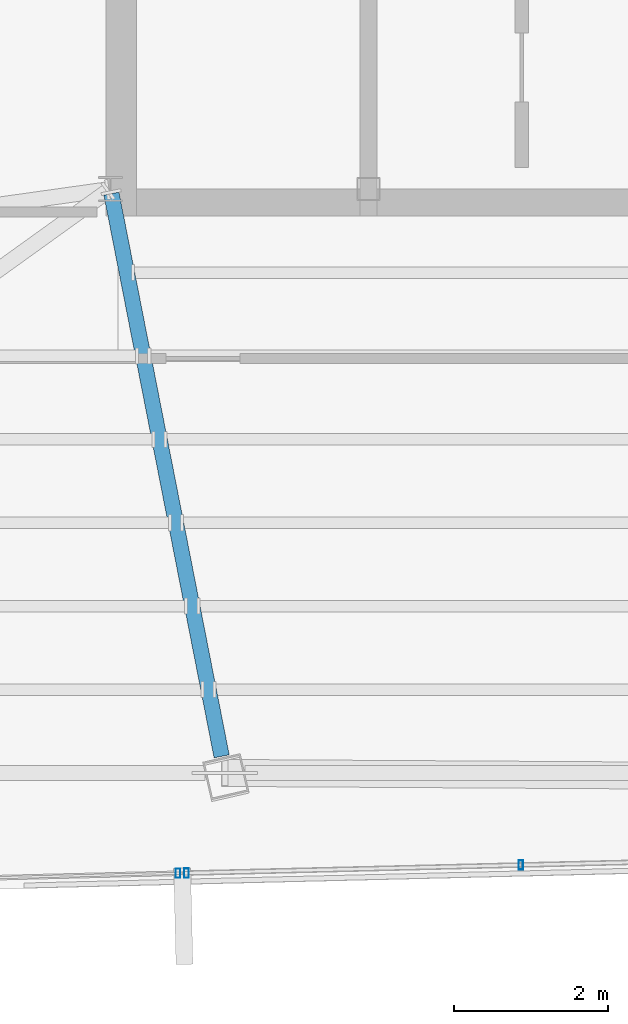
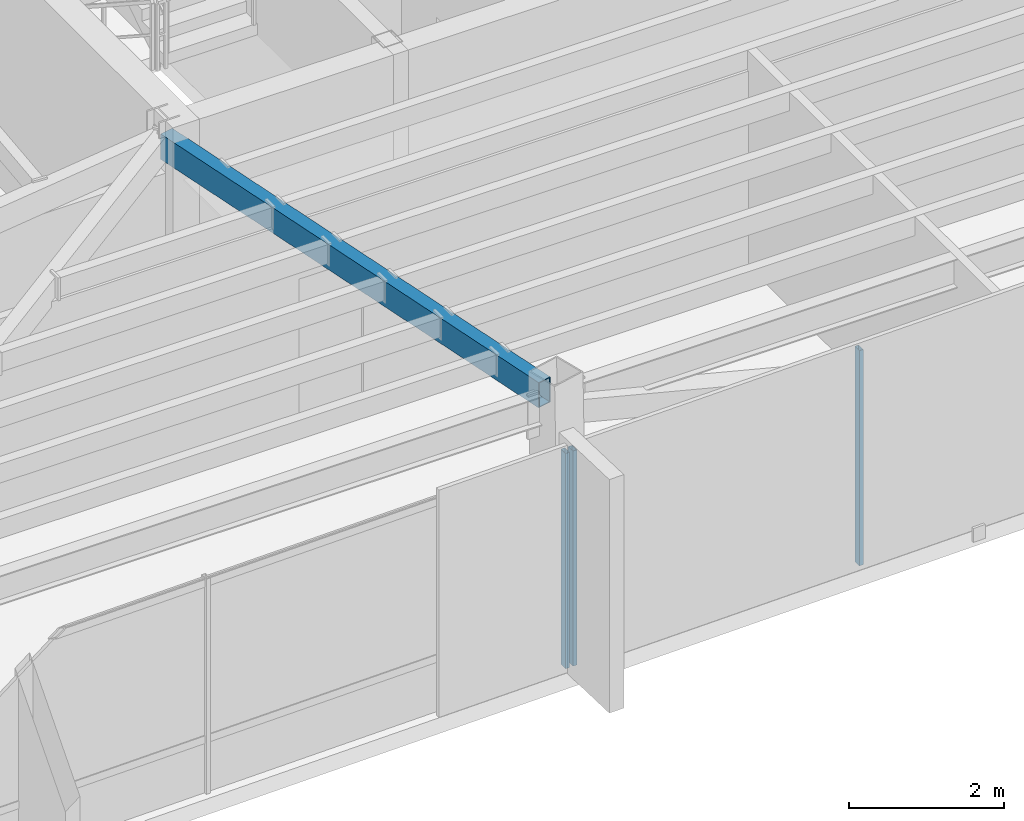
# One storey, part 11 of 48: 3 members, 1 beam, 2 elements without a shape of their own.
"""IFC4 building model written with IfcOpenShell, lengths in metres."""

from ifc_helpers import new_model, si_unit, direction, frame, origin, origin_2d, place, context, subcontext, project, spatial, hollow_rectangle, extrude, source, transform, mapped, material, material_profile, profile_set, type_object, type_shapes, element, aggregate, save


model = new_model("IFC4")

# Units and contexts
model_context = context("Model", 3, precision=1e-05, world=origin(), true_north=direction((0.0, 1.0)))
body_context = subcontext(model_context, "Body", "Model", "MODEL_VIEW")
ifc_project = project(units=[si_unit("LENGTHUNIT", "METRE"), si_unit("AREAUNIT", "SQUARE_METRE"), si_unit("VOLUMEUNIT", "CUBIC_METRE"), si_unit("PLANEANGLEUNIT", "RADIAN"), si_unit("MASSUNIT", "GRAM", prefix="KILO")], contexts=[model_context])

# Site, building, storey
site_placement = place(None, origin())
site = spatial("IfcSite", under=ifc_project, at=site_placement, CompositionType="ELEMENT")
building_placement = place(site_placement, origin())
building = spatial("IfcBuilding", under=site, at=building_placement, Name="Caelisora Broadcast Tower", CompositionType="ELEMENT")
storey_placement = place(building_placement, frame((0.0, 0.0, 277.300048828125)))
storey = spatial("IfcBuildingStorey", under=building, at=storey_placement, Name="L73", CompositionType="ELEMENT", Elevation=277.300048828125)

# Beam
ifc_material_1 = material(Name="Steel Grade 350 (AS/NZS 1163 C350L0)", Category="steel")
ifc_material_profile_1 = material_profile(ifc_material_1, hollow_rectangle(XDim=0.199951171875, YDim=0.39990234375, WallThickness=0.012451171875, at=origin_2d()), Name="Steel Grade 350 (AS/NZS 1163 C350L0)")
ifc_profile_set_1 = profile_set([ifc_material_profile_1], Name="Steel Grade 350 (AS/NZS 1163 C350L0)")
beam_type = type_object("IfcBeamType", Name="PG07", PredefinedType="BEAM", material=ifc_profile_set_1)
shared_shape_1 = source(origin(), body_context, "Body", "SweptSolid", [
    extrude(hollow_rectangle(XDim=0.199951171875, YDim=0.39990234375, WallThickness=0.012451171875, at=origin_2d()), origin(), (0.0, 0.0, 1.0), 7.44580078125),
])
type_shapes(beam_type, [shared_shape_1])
beam_placement = place(storey_placement, frame((30.511474609375, 17.341064453125, 3.199951171875), z_axis=(0.192242961025, -0.981347361507, 0.0), x_axis=(0.981347361507, 0.192242961025, 0.0)))
element("IfcBeam", 1, at=beam_placement, inside=storey, type_object=beam_type, Name="L73 beam PG07", PredefinedType="BEAM", context=body_context, shape_type="MappedRepresentation", body=[
    mapped(shared_shape_1, transform((0.0, 0.0, 0.0), scale=1.0)),
])

# Curtain wall, members
ifc_material_2 = material(Name="Unitised Aluminium Insulated Shadow-Box Spandrel Curtain Wall", Category="aluminium")
curtain_wall_type_1 = type_object("IfcCurtainWallType", Name="CW-SP3", PredefinedType="NOTDEFINED", material=ifc_material_2)
curtain_wall_1_placement = place(storey_placement, origin())
curtain_wall_1 = element("IfcCurtainWall", 2, at=curtain_wall_1_placement, inside=storey, type_object=curtain_wall_type_1, Name="L73 curtain wall CW-SP3", PredefinedType="NOTDEFINED")
ifc_material_3 = material(Name="Aluminium 6063-T6 Anodised Terracotta Bronze", Category="aluminium")
ifc_material_profile_2 = material_profile(ifc_material_3, hollow_rectangle(XDim=0.06005859375, YDim=0.1201171875, WallThickness=0.0029296875, at=origin_2d()), Name="Aluminium 6063-T6 Anodised Terracotta Bronze")
ifc_profile_set_2 = profile_set([ifc_material_profile_2], Name="Aluminium 6063-T6 Anodised Terracotta Bronze")
member_type = type_object("IfcMemberType", Name="CWM-04", PredefinedType="MULLION", material=ifc_profile_set_2)
shared_shape_2 = source(origin(), body_context, "Body", "SweptSolid", [
    extrude(hollow_rectangle(XDim=0.06005859375, YDim=0.1201171875, WallThickness=0.0029296875, at=origin_2d()), origin(), (0.0, 0.0, 1.0), 3.39990234375),
])
type_shapes(member_type, [shared_shape_2])
member_1_placement = place(storey_placement, frame((35.829345703125, 8.622802734375, 0.0), z_axis=(0.0, 0.0, 1.0), x_axis=(1.0, 0.0, 0.0)))
member_1 = element("IfcMember", 3, at=member_1_placement, type_object=member_type, Name="L73-CW-B06 mullion #2", PredefinedType="MULLION", context=body_context, shape_type="MappedRepresentation", body=[
    mapped(shared_shape_2, transform((0.0, 0.0, 0.0), scale=1.0)),
])
member_2_placement = place(storey_placement, frame((31.486083984375, 8.517578125, 0.0), z_axis=(0.0, 0.0, 1.0), x_axis=(1.0, 0.0, 0.0)))
member_2 = element("IfcMember", 4, at=member_2_placement, type_object=member_type, Name="L73-CW-B06 mullion #3", PredefinedType="MULLION", context=body_context, shape_type="MappedRepresentation", body=[
    mapped(shared_shape_2, transform((0.0, 0.0, 0.0), scale=1.0)),
])
aggregate(curtain_wall_1, [member_1, member_2])

# Curtain wall, member
ifc_material_4 = material(Name="Unitised Aluminium and Low-E Glass Curtain Wall", Category="glass")
curtain_wall_type_2 = type_object("IfcCurtainWallType", Name="CW-Z5", PredefinedType="NOTDEFINED", material=ifc_material_4)
curtain_wall_2_placement = place(storey_placement, origin())
curtain_wall_2 = element("IfcCurtainWall", 5, at=curtain_wall_2_placement, inside=storey, type_object=curtain_wall_type_2, Name="L73 curtain wall CW-Z5", PredefinedType="NOTDEFINED")
member_3_placement = place(storey_placement, frame((31.376220703125, 8.51513671875, 0.0), z_axis=(0.0, 0.0, 1.0), x_axis=(1.0, 0.0, 0.0)))
member_3 = element("IfcMember", 6, at=member_3_placement, type_object=member_type, Name="L73-CW-B07 mullion #0", PredefinedType="MULLION", context=body_context, shape_type="MappedRepresentation", body=[
    mapped(shared_shape_2, transform((0.0, 0.0, 0.0), scale=1.0)),
])
aggregate(curtain_wall_2, [member_3])

save(model, "model.ifc")
